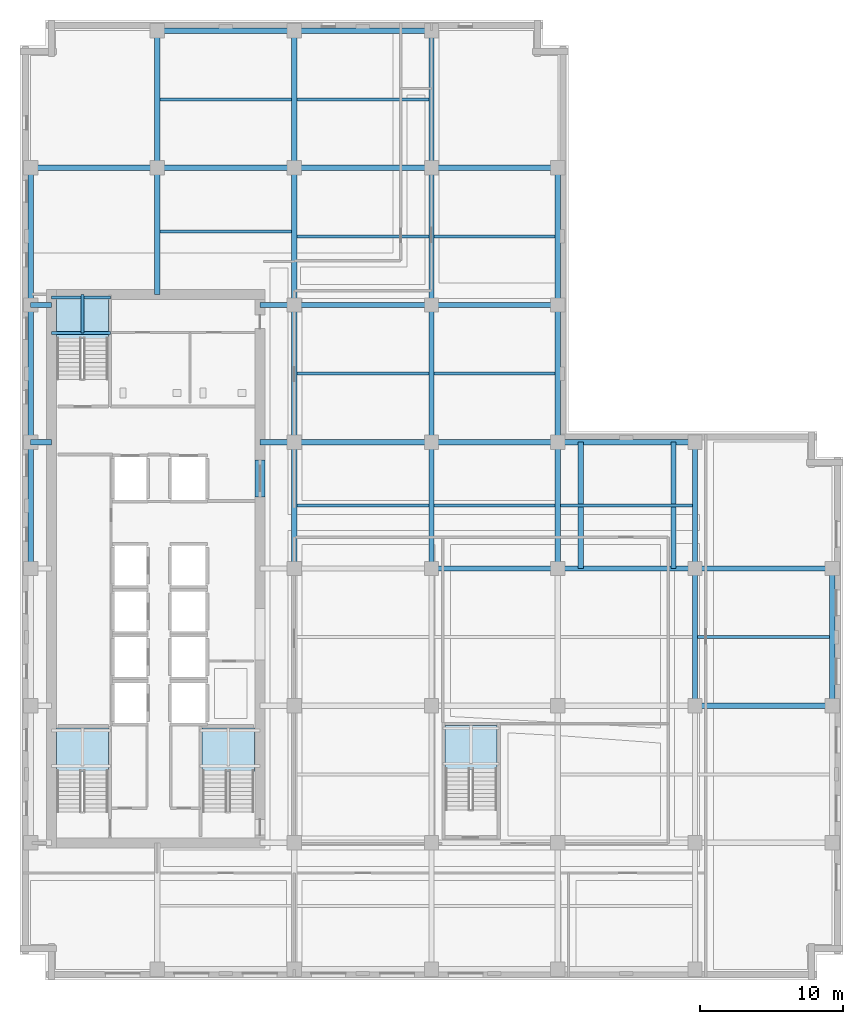
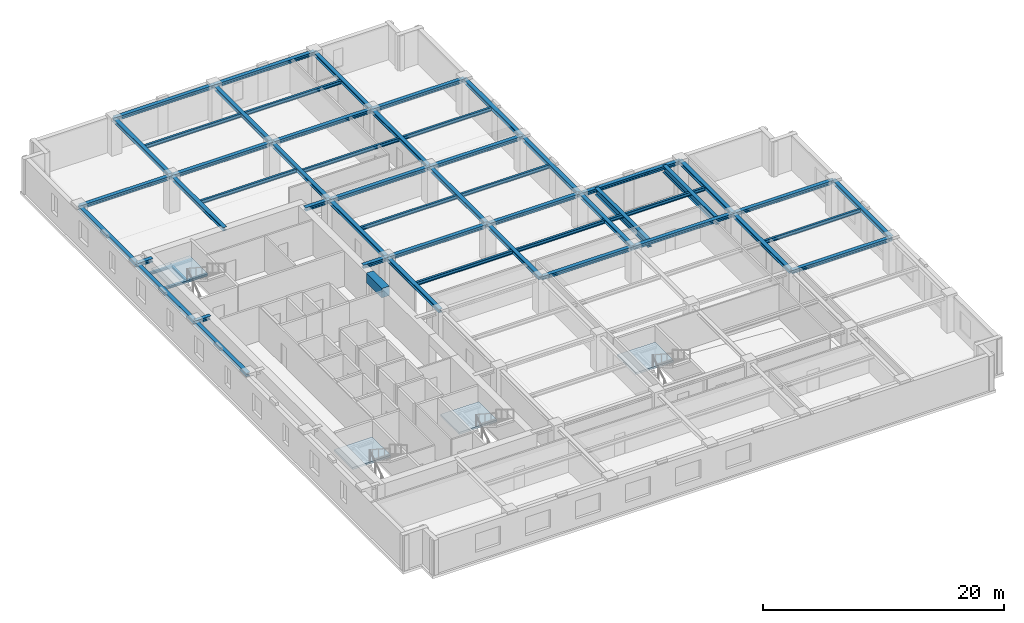
# One storey, part 2 of 12: 55 beams, 4 slabs, 4 elements without a shape of their own.
"""IFC4 building model written with IfcOpenShell, lengths in metres."""

from ifc_helpers import new_model, si_unit, direction, frame, origin, origin_2d, place, context, subcontext, project, spatial, polyline, rectangle, i_section, outline, extrude, material, layer, layer_set, material_profile, profile_set, type_object, element, aggregate, save


model = new_model("IFC4")

# Units and contexts
model_context = context("Model", 3, precision=1e-05, world=origin(), true_north=direction((0.0, 1.0)))
body_context = subcontext(model_context, "Body", "Model", "MODEL_VIEW")
ifc_project = project(units=[si_unit("LENGTHUNIT", "METRE"), si_unit("AREAUNIT", "SQUARE_METRE"), si_unit("VOLUMEUNIT", "CUBIC_METRE"), si_unit("PLANEANGLEUNIT", "RADIAN"), si_unit("MASSUNIT", "GRAM", prefix="KILO")], contexts=[model_context])

# Site, building, storey
site_placement = place(None, origin())
site = spatial("IfcSite", under=ifc_project, at=site_placement, CompositionType="ELEMENT")
building_placement = place(site_placement, origin())
building = spatial("IfcBuilding", under=site, at=building_placement, Name="Norrvale University Quadrangle", CompositionType="ELEMENT")
storey_placement = place(building_placement, frame((0.0, 0.0, 109.0)))
storey = spatial("IfcBuildingStorey", under=building, at=storey_placement, Name="L27", CompositionType="ELEMENT", Elevation=109.0)

# Beams
ifc_material_1 = material(Name="Steel 350W", Category="steel")
ifc_material_profile_1 = material_profile(ifc_material_1, i_section(OverallWidth=0.35498046875, OverallDepth=0.695068359375, WebThickness=0.015380859375, FlangeThickness=0.02490234375, FilletRadius=0.01806640625, at=origin_2d()), Name="Steel 350W")
ifc_profile_set_1 = profile_set([ifc_material_profile_1], Name="Steel 350W")
beam_type_1 = type_object("IfcBeamType", Name="Beam Belt W690x217", PredefinedType="BEAM", material=ifc_profile_set_1)
for number, where, z_axis, x_axis, name in (
    (1, (39.25, 28.800048828125, 3.152587890625), (0.0, 1.0, 0.0), (-1.0, 0.0, 0.0), "Sky Garden Loggia Edge Girder L28-1"),
    (2, (45.75, 28.800048828125, 3.152587890625), (0.0, 1.0, 0.0), (-1.0, 0.0, 0.0), "Sky Garden Loggia Edge Girder L28-2"),
):
    element("IfcBeam", number, at=place(storey_placement, frame(where, z_axis=z_axis, x_axis=x_axis)), inside=storey, type_object=beam_type_1, Name=name, PredefinedType="BEAM", context=body_context, shape_type="SweptSolid", body=[
        extrude(i_section(OverallWidth=0.35498046875, OverallDepth=0.695068359375, WebThickness=0.015380859375, FlangeThickness=0.02490234375, FilletRadius=0.01806640625, at=origin_2d()), origin(), (0.0, 0.0, 1.0), 8.849853515625),
    ])
ifc_material_2 = material(Name="Concrete C80/95", Category="concrete")
ifc_material_profile_2 = material_profile(ifc_material_2, rectangle(XDim=0.699951171875, YDim=0.949951171875, at=origin_2d()), Name="Concrete C80/95")
ifc_profile_set_2 = profile_set([ifc_material_profile_2], Name="Concrete C80/95")
beam_type_2 = type_object("IfcBeamType", Name="Beam Core Link 700x950", PredefinedType="LINTEL", material=ifc_profile_set_2)
beam_1_placement = place(storey_placement, frame((16.800048828125, 33.800048828125, 3.06494140625), z_axis=(0.0, 1.0, 0.0), x_axis=(-1.0, 0.0, 0.0)))
element("IfcBeam", 3, at=beam_1_placement, inside=storey, type_object=beam_type_2, Name="Core Coupling Lintel Beam L27-2", PredefinedType="LINTEL", context=body_context, shape_type="SweptSolid", body=[
    extrude(rectangle(XDim=0.699951171875, YDim=0.949951171875, at=origin_2d()), origin(), (0.0, 0.0, 1.0), 2.599853515625),
])
ifc_material_profile_3 = material_profile(ifc_material_1, i_section(OverallWidth=0.368896484375, OverallDepth=0.35595703125, WebThickness=0.01123046875, FlangeThickness=0.01806640625, FilletRadius=0.014892578125, at=origin_2d()), Name="Steel 350W")
ifc_profile_set_3 = profile_set([ifc_material_profile_3], Name="Steel 350W")
beam_type_3 = type_object("IfcBeamType", Name="Beam Crown W360x134", PredefinedType="BEAM", material=ifc_profile_set_3)
beam_2_placement = place(storey_placement, frame((47.25, 19.199951171875, 3.362060546875), z_axis=(1.0, 0.0, 0.0), x_axis=(0.0, 1.0, 0.0)))
element("IfcBeam", 4, at=beam_2_placement, inside=storey, type_object=beam_type_3, Name="Beam Crown W360x134 BM-L27-GX012", PredefinedType="BEAM", context=body_context, shape_type="SweptSolid", body=[
    extrude(i_section(OverallWidth=0.368896484375, OverallDepth=0.35595703125, WebThickness=0.01123046875, FlangeThickness=0.01806640625, FilletRadius=0.014892578125, at=origin_2d()), origin(), (0.0, 0.0, 1.0), 9.60009765625),
])
beam_3_placement = place(storey_placement, frame((28.800048828125, 28.800048828125, 3.362060546875), z_axis=(1.0, 0.0, 0.0), x_axis=(0.0, 1.0, 0.0)))
element("IfcBeam", 5, at=beam_3_placement, inside=storey, type_object=beam_type_3, Name="Beam Crown W360x134 BM-L27-GX014", PredefinedType="BEAM", context=body_context, shape_type="SweptSolid", body=[
    extrude(i_section(OverallWidth=0.368896484375, OverallDepth=0.35595703125, WebThickness=0.01123046875, FlangeThickness=0.01806640625, FilletRadius=0.014892578125, at=origin_2d()), origin(), (0.0, 0.0, 1.0), 8.849853515625),
])
for number, where, z_axis, x_axis, name in (
    (6, (37.64990234375, 28.800048828125, 3.362060546875), (1.0, 0.0, 0.0), (0.0, 1.0, 0.0), "Beam Crown W360x134 BM-L27-GX015"),
    (7, (47.25, 28.800048828125, 3.362060546875), (1.0, 0.0, 0.0), (0.0, 1.0, 0.0), "Beam Crown W360x134 BM-L27-GX016"),
    (8, (19.199951171875, 37.64990234375, 3.362060546875), (1.0, 0.0, 0.0), (0.0, 1.0, 0.0), "Beam Crown W360x134 BM-L27-GX017"),
):
    element("IfcBeam", number, at=place(storey_placement, frame(where, z_axis=z_axis, x_axis=x_axis)), inside=storey, type_object=beam_type_3, Name=name, PredefinedType="BEAM", context=body_context, shape_type="SweptSolid", body=[
        extrude(i_section(OverallWidth=0.368896484375, OverallDepth=0.35595703125, WebThickness=0.01123046875, FlangeThickness=0.01806640625, FilletRadius=0.014892578125, at=origin_2d()), origin(), (0.0, 0.0, 1.0), 9.60009765625),
    ])
beam_4_placement = place(storey_placement, frame((28.800048828125, 37.64990234375, 3.362060546875), z_axis=(1.0, 0.0, 0.0), x_axis=(0.0, 1.0, 0.0)))
element("IfcBeam", 9, at=beam_4_placement, inside=storey, type_object=beam_type_3, Name="Beam Crown W360x134 BM-L27-GX018", PredefinedType="BEAM", context=body_context, shape_type="SweptSolid", body=[
    extrude(i_section(OverallWidth=0.368896484375, OverallDepth=0.35595703125, WebThickness=0.01123046875, FlangeThickness=0.01806640625, FilletRadius=0.014892578125, at=origin_2d()), origin(), (0.0, 0.0, 1.0), 8.849853515625),
])
for number, where, z_axis, x_axis, name in (
    (10, (37.64990234375, 37.64990234375, 3.322021484375), (1.0, 0.0, 0.0), (0.0, 1.0, 0.0), "Beam Crown W360x134 BM-L27-GX019"),
    (11, (19.199951171875, 47.25, 3.362060546875), (1.0, 0.0, 0.0), (0.0, 1.0, 0.0), "Beam Crown W360x134 BM-L27-GX020"),
):
    element("IfcBeam", number, at=place(storey_placement, frame(where, z_axis=z_axis, x_axis=x_axis)), inside=storey, type_object=beam_type_3, Name=name, PredefinedType="BEAM", context=body_context, shape_type="SweptSolid", body=[
        extrude(i_section(OverallWidth=0.368896484375, OverallDepth=0.35595703125, WebThickness=0.01123046875, FlangeThickness=0.01806640625, FilletRadius=0.014892578125, at=origin_2d()), origin(), (0.0, 0.0, 1.0), 9.60009765625),
    ])
beam_5_placement = place(storey_placement, frame((28.800048828125, 47.25, 3.362060546875), z_axis=(1.0, 0.0, 0.0), x_axis=(0.0, 1.0, 0.0)))
element("IfcBeam", 12, at=beam_5_placement, inside=storey, type_object=beam_type_3, Name="Beam Crown W360x134 BM-L27-GX021", PredefinedType="BEAM", context=body_context, shape_type="SweptSolid", body=[
    extrude(i_section(OverallWidth=0.368896484375, OverallDepth=0.35595703125, WebThickness=0.01123046875, FlangeThickness=0.01806640625, FilletRadius=0.014892578125, at=origin_2d()), origin(), (0.0, 0.0, 1.0), 8.849853515625),
])
beam_6_placement = place(storey_placement, frame((0.75, 56.85009765625, 3.362060546875), z_axis=(1.0, 0.0, 0.0), x_axis=(0.0, 1.0, 0.0)))
element("IfcBeam", 13, at=beam_6_placement, inside=storey, type_object=beam_type_3, Name="Beam Crown W360x134 BM-L27-GX022", PredefinedType="BEAM", context=body_context, shape_type="SweptSolid", body=[
    extrude(i_section(OverallWidth=0.368896484375, OverallDepth=0.35595703125, WebThickness=0.01123046875, FlangeThickness=0.01806640625, FilletRadius=0.014892578125, at=origin_2d()), origin(), (0.0, 0.0, 1.0), 8.85009765625),
])
beam_7_placement = place(storey_placement, frame((9.60009765625, 56.85009765625, 3.362060546875), z_axis=(1.0, 0.0, 0.0), x_axis=(0.0, 1.0, 0.0)))
element("IfcBeam", 14, at=beam_7_placement, inside=storey, type_object=beam_type_3, Name="Beam Crown W360x134 BM-L27-GX023", PredefinedType="BEAM", context=body_context, shape_type="SweptSolid", body=[
    extrude(i_section(OverallWidth=0.368896484375, OverallDepth=0.35595703125, WebThickness=0.01123046875, FlangeThickness=0.01806640625, FilletRadius=0.014892578125, at=origin_2d()), origin(), (0.0, 0.0, 1.0), 9.599853515625),
])
beam_8_placement = place(storey_placement, frame((19.199951171875, 56.85009765625, 3.362060546875), z_axis=(1.0, 0.0, 0.0), x_axis=(0.0, 1.0, 0.0)))
element("IfcBeam", 15, at=beam_8_placement, inside=storey, type_object=beam_type_3, Name="Beam Crown W360x134 BM-L27-GX024", PredefinedType="BEAM", context=body_context, shape_type="SweptSolid", body=[
    extrude(i_section(OverallWidth=0.368896484375, OverallDepth=0.35595703125, WebThickness=0.01123046875, FlangeThickness=0.01806640625, FilletRadius=0.014892578125, at=origin_2d()), origin(), (0.0, 0.0, 1.0), 9.60009765625),
])
beam_9_placement = place(storey_placement, frame((28.800048828125, 56.85009765625, 3.362060546875), z_axis=(1.0, 0.0, 0.0), x_axis=(0.0, 1.0, 0.0)))
element("IfcBeam", 16, at=beam_9_placement, inside=storey, type_object=beam_type_3, Name="Beam Crown W360x134 BM-L27-GX025", PredefinedType="BEAM", context=body_context, shape_type="SweptSolid", body=[
    extrude(i_section(OverallWidth=0.368896484375, OverallDepth=0.35595703125, WebThickness=0.01123046875, FlangeThickness=0.01806640625, FilletRadius=0.014892578125, at=origin_2d()), origin(), (0.0, 0.0, 1.0), 8.849853515625),
])
beam_10_placement = place(storey_placement, frame((9.60009765625, 66.449951171875, 3.362060546875), z_axis=(1.0, 0.0, 0.0), x_axis=(0.0, 1.0, 0.0)))
element("IfcBeam", 17, at=beam_10_placement, inside=storey, type_object=beam_type_3, Name="Beam Crown W360x134 BM-L27-GX026", PredefinedType="BEAM", context=body_context, shape_type="SweptSolid", body=[
    extrude(i_section(OverallWidth=0.368896484375, OverallDepth=0.35595703125, WebThickness=0.01123046875, FlangeThickness=0.01806640625, FilletRadius=0.014892578125, at=origin_2d()), origin(), (0.0, 0.0, 1.0), 9.599853515625),
])
beam_11_placement = place(storey_placement, frame((19.199951171875, 66.449951171875, 3.362060546875), z_axis=(1.0, 0.0, 0.0), x_axis=(0.0, 1.0, 0.0)))
element("IfcBeam", 18, at=beam_11_placement, inside=storey, type_object=beam_type_3, Name="Beam Crown W360x134 BM-L27-GX027", PredefinedType="BEAM", context=body_context, shape_type="SweptSolid", body=[
    extrude(i_section(OverallWidth=0.368896484375, OverallDepth=0.35595703125, WebThickness=0.01123046875, FlangeThickness=0.01806640625, FilletRadius=0.014892578125, at=origin_2d()), origin(), (0.0, 0.0, 1.0), 9.60009765625),
])
beam_12_placement = place(storey_placement, frame((0.75, 28.800048828125, 3.362060546875), z_axis=(0.0, 1.0, 0.0), x_axis=(-1.0, 0.0, 0.0)))
element("IfcBeam", 19, at=beam_12_placement, inside=storey, type_object=beam_type_3, Name="Beam Crown W360x134 BM-L27-GY030", PredefinedType="BEAM", context=body_context, shape_type="SweptSolid", body=[
    extrude(i_section(OverallWidth=0.368896484375, OverallDepth=0.35595703125, WebThickness=0.01123046875, FlangeThickness=0.01806640625, FilletRadius=0.014892578125, at=origin_2d()), origin(), (0.0, 0.0, 1.0), 8.849853515625),
])
for number, where, z_axis, x_axis, name in (
    (20, (0.75, 37.64990234375, 3.362060546875), (0.0, 1.0, 0.0), (-1.0, 0.0, 0.0), "Beam Crown W360x134 BM-L27-GY031"),
    (21, (0.75, 47.25, 3.362060546875), (0.0, 1.0, 0.0), (-1.0, 0.0, 0.0), "Beam Crown W360x134 BM-L27-GY032"),
):
    element("IfcBeam", number, at=place(storey_placement, frame(where, z_axis=z_axis, x_axis=x_axis)), inside=storey, type_object=beam_type_3, Name=name, PredefinedType="BEAM", context=body_context, shape_type="SweptSolid", body=[
        extrude(i_section(OverallWidth=0.368896484375, OverallDepth=0.35595703125, WebThickness=0.01123046875, FlangeThickness=0.01806640625, FilletRadius=0.014892578125, at=origin_2d()), origin(), (0.0, 0.0, 1.0), 9.60009765625),
    ])
beam_13_placement = place(storey_placement, frame((9.60009765625, 56.85009765625, 3.362060546875), z_axis=(0.0, 1.0, 0.0), x_axis=(-1.0, 0.0, 0.0)))
element("IfcBeam", 22, at=beam_13_placement, inside=storey, type_object=beam_type_3, Name="Beam Crown W360x134 BM-L27-GY033", PredefinedType="BEAM", context=body_context, shape_type="SweptSolid", body=[
    extrude(i_section(OverallWidth=0.368896484375, OverallDepth=0.35595703125, WebThickness=0.01123046875, FlangeThickness=0.01806640625, FilletRadius=0.014892578125, at=origin_2d()), origin(), (0.0, 0.0, 1.0), 9.599853515625),
])
beam_14_placement = place(storey_placement, frame((19.199951171875, 28.800048828125, 3.362060546875), z_axis=(0.0, 1.0, 0.0), x_axis=(-1.0, 0.0, 0.0)))
element("IfcBeam", 23, at=beam_14_placement, inside=storey, type_object=beam_type_3, Name="Beam Crown W360x134 BM-L27-GY037", PredefinedType="BEAM", context=body_context, shape_type="SweptSolid", body=[
    extrude(i_section(OverallWidth=0.368896484375, OverallDepth=0.35595703125, WebThickness=0.01123046875, FlangeThickness=0.01806640625, FilletRadius=0.014892578125, at=origin_2d()), origin(), (0.0, 0.0, 1.0), 8.849853515625),
])
for number, where, z_axis, x_axis, name in (
    (24, (19.199951171875, 37.64990234375, 3.362060546875), (0.0, 1.0, 0.0), (-1.0, 0.0, 0.0), "Beam Crown W360x134 BM-L27-GY038"),
    (25, (19.199951171875, 47.25, 3.362060546875), (0.0, 1.0, 0.0), (-1.0, 0.0, 0.0), "Beam Crown W360x134 BM-L27-GY039"),
):
    element("IfcBeam", number, at=place(storey_placement, frame(where, z_axis=z_axis, x_axis=x_axis)), inside=storey, type_object=beam_type_3, Name=name, PredefinedType="BEAM", context=body_context, shape_type="SweptSolid", body=[
        extrude(i_section(OverallWidth=0.368896484375, OverallDepth=0.35595703125, WebThickness=0.01123046875, FlangeThickness=0.01806640625, FilletRadius=0.014892578125, at=origin_2d()), origin(), (0.0, 0.0, 1.0), 9.60009765625),
    ])
beam_15_placement = place(storey_placement, frame((19.199951171875, 56.85009765625, 3.362060546875), z_axis=(0.0, 1.0, 0.0), x_axis=(-1.0, 0.0, 0.0)))
element("IfcBeam", 26, at=beam_15_placement, inside=storey, type_object=beam_type_3, Name="Beam Crown W360x134 BM-L27-GY040", PredefinedType="BEAM", context=body_context, shape_type="SweptSolid", body=[
    extrude(i_section(OverallWidth=0.368896484375, OverallDepth=0.35595703125, WebThickness=0.01123046875, FlangeThickness=0.01806640625, FilletRadius=0.014892578125, at=origin_2d()), origin(), (0.0, 0.0, 1.0), 9.599853515625),
])
beam_16_placement = place(storey_placement, frame((28.800048828125, 28.800048828125, 3.362060546875), z_axis=(0.0, 1.0, 0.0), x_axis=(-1.0, 0.0, 0.0)))
element("IfcBeam", 27, at=beam_16_placement, inside=storey, type_object=beam_type_3, Name="Beam Crown W360x134 BM-L27-GY044", PredefinedType="BEAM", context=body_context, shape_type="SweptSolid", body=[
    extrude(i_section(OverallWidth=0.368896484375, OverallDepth=0.35595703125, WebThickness=0.01123046875, FlangeThickness=0.01806640625, FilletRadius=0.014892578125, at=origin_2d()), origin(), (0.0, 0.0, 1.0), 8.849853515625),
])
for number, where, z_axis, x_axis, name in (
    (28, (28.800048828125, 37.64990234375, 3.362060546875), (0.0, 1.0, 0.0), (-1.0, 0.0, 0.0), "Beam Crown W360x134 BM-L27-GY045"),
    (29, (28.800048828125, 47.25, 3.362060546875), (0.0, 1.0, 0.0), (-1.0, 0.0, 0.0), "Beam Crown W360x134 BM-L27-GY046"),
):
    element("IfcBeam", number, at=place(storey_placement, frame(where, z_axis=z_axis, x_axis=x_axis)), inside=storey, type_object=beam_type_3, Name=name, PredefinedType="BEAM", context=body_context, shape_type="SweptSolid", body=[
        extrude(i_section(OverallWidth=0.368896484375, OverallDepth=0.35595703125, WebThickness=0.01123046875, FlangeThickness=0.01806640625, FilletRadius=0.014892578125, at=origin_2d()), origin(), (0.0, 0.0, 1.0), 9.60009765625),
    ])
beam_17_placement = place(storey_placement, frame((28.800048828125, 56.85009765625, 3.362060546875), z_axis=(0.0, 1.0, 0.0), x_axis=(-1.0, 0.0, 0.0)))
element("IfcBeam", 30, at=beam_17_placement, inside=storey, type_object=beam_type_3, Name="Beam Crown W360x134 BM-L27-GY047", PredefinedType="BEAM", context=body_context, shape_type="SweptSolid", body=[
    extrude(i_section(OverallWidth=0.368896484375, OverallDepth=0.35595703125, WebThickness=0.01123046875, FlangeThickness=0.01806640625, FilletRadius=0.014892578125, at=origin_2d()), origin(), (0.0, 0.0, 1.0), 9.599853515625),
])
beam_18_placement = place(storey_placement, frame((37.64990234375, 28.800048828125, 3.362060546875), z_axis=(0.0, 1.0, 0.0), x_axis=(-1.0, 0.0, 0.0)))
element("IfcBeam", 31, at=beam_18_placement, inside=storey, type_object=beam_type_3, Name="Beam Crown W360x134 BM-L27-GY051", PredefinedType="BEAM", context=body_context, shape_type="SweptSolid", body=[
    extrude(i_section(OverallWidth=0.368896484375, OverallDepth=0.35595703125, WebThickness=0.01123046875, FlangeThickness=0.01806640625, FilletRadius=0.014892578125, at=origin_2d()), origin(), (0.0, 0.0, 1.0), 8.849853515625),
])
for number, where, z_axis, x_axis, name in (
    (32, (37.64990234375, 37.64990234375, 3.362060546875), (0.0, 1.0, 0.0), (-1.0, 0.0, 0.0), "Beam Crown W360x134 BM-L27-GY052"),
    (33, (37.64990234375, 47.25, 3.362060546875), (0.0, 1.0, 0.0), (-1.0, 0.0, 0.0), "Beam Crown W360x134 BM-L27-GY053"),
    (34, (47.25, 19.199951171875, 3.362060546875), (0.0, 1.0, 0.0), (-1.0, 0.0, 0.0), "Beam Crown W360x134 BM-L27-GY056"),
):
    element("IfcBeam", number, at=place(storey_placement, frame(where, z_axis=z_axis, x_axis=x_axis)), inside=storey, type_object=beam_type_3, Name=name, PredefinedType="BEAM", context=body_context, shape_type="SweptSolid", body=[
        extrude(i_section(OverallWidth=0.368896484375, OverallDepth=0.35595703125, WebThickness=0.01123046875, FlangeThickness=0.01806640625, FilletRadius=0.014892578125, at=origin_2d()), origin(), (0.0, 0.0, 1.0), 9.60009765625),
    ])
beam_19_placement = place(storey_placement, frame((47.25, 28.800048828125, 3.362060546875), z_axis=(0.0, 1.0, 0.0), x_axis=(-1.0, 0.0, 0.0)))
element("IfcBeam", 35, at=beam_19_placement, inside=storey, type_object=beam_type_3, Name="Beam Crown W360x134 BM-L27-GY057", PredefinedType="BEAM", context=body_context, shape_type="SweptSolid", body=[
    extrude(i_section(OverallWidth=0.368896484375, OverallDepth=0.35595703125, WebThickness=0.01123046875, FlangeThickness=0.01806640625, FilletRadius=0.014892578125, at=origin_2d()), origin(), (0.0, 0.0, 1.0), 8.849853515625),
])
beam_20_placement = place(storey_placement, frame((56.85009765625, 19.199951171875, 3.362060546875), z_axis=(0.0, 1.0, 0.0), x_axis=(-1.0, 0.0, 0.0)))
element("IfcBeam", 36, at=beam_20_placement, inside=storey, type_object=beam_type_3, Name="Beam Crown W360x134 BM-L27-GY059", PredefinedType="BEAM", context=body_context, shape_type="SweptSolid", body=[
    extrude(i_section(OverallWidth=0.368896484375, OverallDepth=0.35595703125, WebThickness=0.01123046875, FlangeThickness=0.01806640625, FilletRadius=0.014892578125, at=origin_2d()), origin(), (0.0, 0.0, 1.0), 9.60009765625),
])
beam_21_placement = place(storey_placement, frame((0.75, 37.64990234375, 3.362060546875), z_axis=(1.0, 0.0, 0.0), x_axis=(0.0, 1.0, 0.0)))
element("IfcBeam", 37, at=beam_21_placement, inside=storey, type_object=beam_type_3, Name="Beam Crown W360x134 BM-L27-GCW066", PredefinedType="BEAM", context=body_context, shape_type="SweptSolid", body=[
    extrude(i_section(OverallWidth=0.368896484375, OverallDepth=0.35595703125, WebThickness=0.01123046875, FlangeThickness=0.01806640625, FilletRadius=0.014892578125, at=origin_2d()), origin(), (0.0, 0.0, 1.0), 1.449951171875),
])
beam_22_placement = place(storey_placement, frame((16.800048828125, 37.64990234375, 3.362060546875), z_axis=(1.0, 0.0, 0.0), x_axis=(0.0, 1.0, 0.0)))
element("IfcBeam", 38, at=beam_22_placement, inside=storey, type_object=beam_type_3, Name="Beam Crown W360x134 BM-L27-GCE067", PredefinedType="BEAM", context=body_context, shape_type="SweptSolid", body=[
    extrude(i_section(OverallWidth=0.368896484375, OverallDepth=0.35595703125, WebThickness=0.01123046875, FlangeThickness=0.01806640625, FilletRadius=0.014892578125, at=origin_2d()), origin(), (0.0, 0.0, 1.0), 2.39990234375),
])
beam_23_placement = place(storey_placement, frame((0.75, 47.25, 3.362060546875), z_axis=(1.0, 0.0, 0.0), x_axis=(0.0, 1.0, 0.0)))
element("IfcBeam", 39, at=beam_23_placement, inside=storey, type_object=beam_type_3, Name="Beam Crown W360x134 BM-L27-GCW068", PredefinedType="BEAM", context=body_context, shape_type="SweptSolid", body=[
    extrude(i_section(OverallWidth=0.368896484375, OverallDepth=0.35595703125, WebThickness=0.01123046875, FlangeThickness=0.01806640625, FilletRadius=0.014892578125, at=origin_2d()), origin(), (0.0, 0.0, 1.0), 1.449951171875),
])
beam_24_placement = place(storey_placement, frame((16.800048828125, 47.25, 3.362060546875), z_axis=(1.0, 0.0, 0.0), x_axis=(0.0, 1.0, 0.0)))
element("IfcBeam", 40, at=beam_24_placement, inside=storey, type_object=beam_type_3, Name="Beam Crown W360x134 BM-L27-GCE069", PredefinedType="BEAM", context=body_context, shape_type="SweptSolid", body=[
    extrude(i_section(OverallWidth=0.368896484375, OverallDepth=0.35595703125, WebThickness=0.01123046875, FlangeThickness=0.01806640625, FilletRadius=0.014892578125, at=origin_2d()), origin(), (0.0, 0.0, 1.0), 2.39990234375),
])
beam_25_placement = place(storey_placement, frame((9.60009765625, 48.0, 3.362060546875), z_axis=(0.0, 1.0, 0.0), x_axis=(-1.0, 0.0, 0.0)))
element("IfcBeam", 41, at=beam_25_placement, inside=storey, type_object=beam_type_3, Name="Beam Crown W360x134 BM-L27-GCN091", PredefinedType="BEAM", context=body_context, shape_type="SweptSolid", body=[
    extrude(i_section(OverallWidth=0.368896484375, OverallDepth=0.35595703125, WebThickness=0.01123046875, FlangeThickness=0.01806640625, FilletRadius=0.014892578125, at=origin_2d()), origin(), (0.0, 0.0, 1.0), 8.85009765625),
])
ifc_material_profile_4 = material_profile(ifc_material_1, i_section(OverallWidth=0.205078125, OverallDepth=0.35400390625, WebThickness=0.009521484375, FlangeThickness=0.016845703125, FilletRadius=0.011962890625, at=origin_2d()), Name="Steel 350W")
ifc_profile_set_4 = profile_set([ifc_material_profile_4], Name="Steel 350W")
beam_type_4 = type_object("IfcBeamType", Name="Beam Crown W360x79", PredefinedType="BEAM", material=ifc_profile_set_4)
for number, where, z_axis, x_axis, name in (
    (42, (9.784423828125, 61.64990234375, 3.363037109375), (1.0, 0.0, 0.0), (0.0, 1.0, 0.0), "Beam Crown W360x79 BM-L27-J070"),
    (43, (19.384521484375, 33.22509765625, 3.363037109375), (1.0, 0.0, 0.0), (0.0, 1.0, 0.0), "Beam Crown W360x79 BM-L27-J074"),
    (44, (19.384521484375, 42.449951171875, 3.363037109375), (1.0, 0.0, 0.0), (0.0, 1.0, 0.0), "Beam Crown W360x79 BM-L27-J075"),
    (45, (19.384521484375, 52.050048828125, 3.363037109375), (1.0, 0.0, 0.0), (0.0, 1.0, 0.0), "Beam Crown W360x79 BM-L27-J076"),
    (46, (19.384521484375, 61.64990234375, 3.363037109375), (1.0, 0.0, 0.0), (0.0, 1.0, 0.0), "Beam Crown W360x79 BM-L27-J077"),
):
    element("IfcBeam", number, at=place(storey_placement, frame(where, z_axis=z_axis, x_axis=x_axis)), inside=storey, type_object=beam_type_4, Name=name, PredefinedType="BEAM", context=body_context, shape_type="SweptSolid", body=[
        extrude(i_section(OverallWidth=0.205078125, OverallDepth=0.35400390625, WebThickness=0.009521484375, FlangeThickness=0.016845703125, FilletRadius=0.011962890625, at=origin_2d()), origin(), (0.0, 0.0, 1.0), 9.23095703125),
    ])
for number, where, z_axis, x_axis, name in (
    (47, (28.984619140625, 33.22509765625, 3.363037109375), (1.0, 0.0, 0.0), (0.0, 1.0, 0.0), "Beam Crown W360x79 BM-L27-J080"),
    (48, (28.984619140625, 42.449951171875, 3.363037109375), (1.0, 0.0, 0.0), (0.0, 1.0, 0.0), "Beam Crown W360x79 BM-L27-J081"),
    (49, (28.984619140625, 52.050048828125, 3.363037109375), (1.0, 0.0, 0.0), (0.0, 1.0, 0.0), "Beam Crown W360x79 BM-L27-J082"),
):
    element("IfcBeam", number, at=place(storey_placement, frame(where, z_axis=z_axis, x_axis=x_axis)), inside=storey, type_object=beam_type_4, Name=name, PredefinedType="BEAM", context=body_context, shape_type="SweptSolid", body=[
        extrude(i_section(OverallWidth=0.205078125, OverallDepth=0.35400390625, WebThickness=0.009521484375, FlangeThickness=0.016845703125, FilletRadius=0.011962890625, at=origin_2d()), origin(), (0.0, 0.0, 1.0), 8.48095703125),
    ])
for number, where, z_axis, x_axis, name in (
    (50, (37.83447265625, 33.22509765625, 3.322998046875), (1.0, 0.0, 0.0), (0.0, 1.0, 0.0), "Beam Crown W360x79 BM-L27-J086"),
    (51, (47.4345703125, 24.0, 3.363037109375), (1.0, 0.0, 0.0), (0.0, 1.0, 0.0), "Beam Crown W360x79 BM-L27-J088"),
    (52, (9.784423828125, 52.39990234375, 3.363037109375), (1.0, 0.0, 0.0), (0.0, 1.0, 0.0), "Beam Crown W360x79 BM-L27-JCN092"),
):
    element("IfcBeam", number, at=place(storey_placement, frame(where, z_axis=z_axis, x_axis=x_axis)), inside=storey, type_object=beam_type_4, Name=name, PredefinedType="BEAM", context=body_context, shape_type="SweptSolid", body=[
        extrude(i_section(OverallWidth=0.205078125, OverallDepth=0.35400390625, WebThickness=0.009521484375, FlangeThickness=0.016845703125, FilletRadius=0.011962890625, at=origin_2d()), origin(), (0.0, 0.0, 1.0), 9.23095703125),
    ])
ifc_material_profile_5 = material_profile(ifc_material_1, i_section(OverallWidth=0.201904296875, OverallDepth=0.2470703125, WebThickness=0.00732421875, FlangeThickness=0.010986328125, FilletRadius=0.011962890625, at=origin_2d()), Name="Steel 350W")
ifc_profile_set_5 = profile_set([ifc_material_profile_5], Name="Steel 350W")
beam_type_5 = type_object("IfcBeamType", Name="Beam Stair W250x49", PredefinedType="BEAM", material=ifc_profile_set_5)
for number, where, z_axis, x_axis, name in (
    (53, (2.199951171875, 45.2900390625, 1.576416015625), (1.0, 0.0, 0.0), (0.0, 1.0, 0.0), "Stair Mid-Landing Front Beam ST-02 L27"),
    (54, (2.199951171875, 47.77001953125, 1.576416015625), (1.0, 0.0, 0.0), (0.0, 1.0, 0.0), "Stair Mid-Landing Rear Beam ST-02 L27"),
):
    element("IfcBeam", number, at=place(storey_placement, frame(where, z_axis=z_axis, x_axis=x_axis)), inside=storey, type_object=beam_type_5, Name=name, PredefinedType="BEAM", context=body_context, shape_type="SweptSolid", body=[
        extrude(i_section(OverallWidth=0.201904296875, OverallDepth=0.2470703125, WebThickness=0.00732421875, FlangeThickness=0.010986328125, FilletRadius=0.011962890625, at=origin_2d()), origin(), (0.0, 0.0, 1.0), 4.14013671875),
    ])
ifc_material_profile_6 = material_profile(ifc_material_1, i_section(OverallWidth=0.202880859375, OverallDepth=0.202880859375, WebThickness=0.007080078125, FlangeThickness=0.010986328125, FilletRadius=0.010009765625, at=origin_2d()), Name="Steel 350W")
ifc_profile_set_6 = profile_set([ifc_material_profile_6], Name="Steel 350W")
beam_type_6 = type_object("IfcBeamType", Name="Beam Trim W200x46", PredefinedType="BEAM", material=ifc_profile_set_6)
beam_26_placement = place(storey_placement, frame((4.375, 45.2900390625, 1.598388671875), z_axis=(0.0, 1.0, 0.0), x_axis=(-1.0, 0.0, 0.0)))
element("IfcBeam", 55, at=beam_26_placement, inside=storey, type_object=beam_type_6, Name="Stair Mid-Landing Cross Beam ST-02 L27", PredefinedType="BEAM", context=body_context, shape_type="SweptSolid", body=[
    extrude(i_section(OverallWidth=0.202880859375, OverallDepth=0.202880859375, WebThickness=0.007080078125, FlangeThickness=0.010986328125, FilletRadius=0.010009765625, at=origin_2d()), origin(), (0.0, 0.0, 1.0), 2.7099609375),
])

# Stair, slab
ifc_material_3 = material(Name="Concrete C40/50", Category="concrete")
stair_type = type_object("IfcStairType", Name="Stair Tower Typ 3800", PredefinedType="TWO_STRAIGHT_RUN_STAIR", material=ifc_material_3)
stair_1_placement = place(storey_placement, origin())
stair_1 = element("IfcStair", 56, at=stair_1_placement, inside=storey, type_object=stair_type, Name="Exit Stair ST-01 L27", PredefinedType="TWO_STRAIGHT_RUN_STAIR")
ifc_layer = layer(ifc_material_3, 0.199951171875, Name="Concrete C40/50")
ifc_layer_set = layer_set([ifc_layer], Name="Concrete C40/50")
slab_type = type_object("IfcSlabType", Name="Slab Landing 200", PredefinedType="LANDING", material=ifc_layer_set)
slab_1_placement = place(storey_placement, frame((0.0, 0.0, 1.699951171875)))
slab_1 = element("IfcSlab", 57, at=slab_1_placement, type_object=slab_type, Name="Exit Stair ST-01 L27 Mid Landing", PredefinedType="LANDING", context=body_context, shape_type="SweptSolid", body=[
    extrude(outline(polyline([(2.550048828125, 14.590087890625), (6.199951171875, 14.590087890625), (6.199951171875, 17.64990234375), (2.550048828125, 17.64990234375), (2.550048828125, 14.590087890625)])), origin(), (0.0, 0.0, 1.0), 0.199951171875),
])
aggregate(stair_1, [slab_1])

stair_2_placement = place(storey_placement, origin())
stair_2 = element("IfcStair", 58, at=stair_2_placement, inside=storey, type_object=stair_type, Name="Exit Stair ST-02 L27", PredefinedType="TWO_STRAIGHT_RUN_STAIR")
slab_2_placement = place(storey_placement, frame((0.0, 0.0, 1.699951171875)))
slab_2 = element("IfcSlab", 59, at=slab_2_placement, type_object=slab_type, Name="Exit Stair ST-02 L27 Mid Landing", PredefinedType="LANDING", context=body_context, shape_type="SweptSolid", body=[
    extrude(outline(polyline([(2.550048828125, 44.889892578125), (6.199951171875, 44.889892578125), (6.199951171875, 47.949951171875), (2.550048828125, 47.949951171875), (2.550048828125, 44.889892578125)])), origin(), (0.0, 0.0, 1.0), 0.199951171875),
])
aggregate(stair_2, [slab_2])

stair_3_placement = place(storey_placement, origin())
stair_3 = element("IfcStair", 60, at=stair_3_placement, inside=storey, type_object=stair_type, Name="Exit Stair ST-03 L27", PredefinedType="TWO_STRAIGHT_RUN_STAIR")
slab_3_placement = place(storey_placement, frame((0.0, 0.0, 1.699951171875)))
slab_3 = element("IfcSlab", 61, at=slab_3_placement, type_object=slab_type, Name="Exit Stair ST-03 L27 Mid Landing", PredefinedType="LANDING", context=body_context, shape_type="SweptSolid", body=[
    extrude(outline(polyline([(12.75, 14.590087890625), (16.39990234375, 14.590087890625), (16.39990234375, 17.64990234375), (12.75, 17.64990234375), (12.75, 14.590087890625)])), origin(), (0.0, 0.0, 1.0), 0.199951171875),
])
aggregate(stair_3, [slab_3])

stair_4_placement = place(storey_placement, origin())
stair_4 = element("IfcStair", 62, at=stair_4_placement, inside=storey, type_object=stair_type, Name="Exit Stair ST-04 L27", PredefinedType="TWO_STRAIGHT_RUN_STAIR")
slab_4_placement = place(storey_placement, frame((0.0, 0.0, 1.699951171875)))
slab_4 = element("IfcSlab", 63, at=slab_4_placement, type_object=slab_type, Name="Exit Stair ST-04 L27 Mid Landing", PredefinedType="LANDING", context=body_context, shape_type="SweptSolid", body=[
    extrude(outline(polyline([(29.75, 14.739990234375), (33.39990234375, 14.739990234375), (33.39990234375, 17.800048828125), (29.75, 17.800048828125), (29.75, 14.739990234375)])), origin(), (0.0, 0.0, 1.0), 0.199951171875),
])
aggregate(stair_4, [slab_4])

save(model, "model.ifc")
